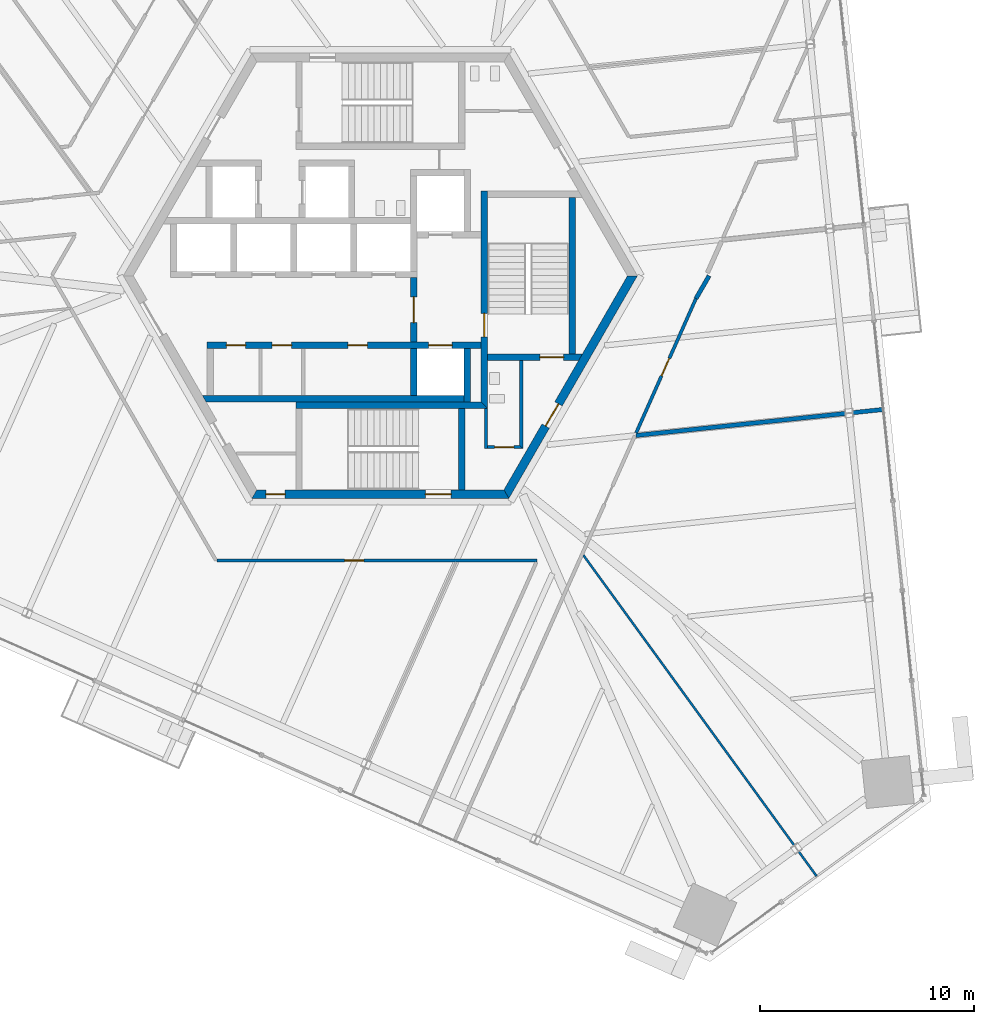
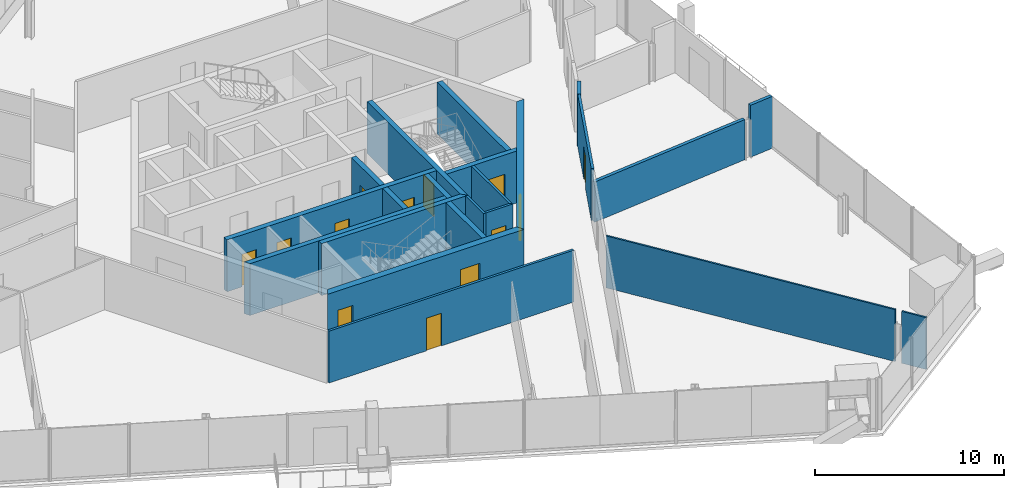
# One storey, part 18 of 25: 22 walls, 13 doors, 13 openings.
"""IFC4 building model written with IfcOpenShell, lengths in metres."""

from ifc_helpers import new_model, si_unit, direction, frame, frame_2d, origin, place, context, subcontext, project, spatial, polyline, rectangle, outline, extrude, source, transform, mapped, material, layer, layer_set, type_object, element, fill, save


model = new_model("IFC4")

# Units and contexts
model_context = context("Model", 3, precision=1e-05, world=origin(), true_north=direction((0.0, 1.0)))
body_context = subcontext(model_context, "Body", "Model", "MODEL_VIEW")
ifc_project = project(units=[si_unit("LENGTHUNIT", "METRE"), si_unit("AREAUNIT", "SQUARE_METRE"), si_unit("VOLUMEUNIT", "CUBIC_METRE"), si_unit("PLANEANGLEUNIT", "RADIAN"), si_unit("MASSUNIT", "GRAM", prefix="KILO")], contexts=[model_context])

# Site, building, storey
site_placement = place(None, origin())
site = spatial("IfcSite", under=ifc_project, at=site_placement, CompositionType="ELEMENT")
building_placement = place(site_placement, origin())
building = spatial("IfcBuilding", under=site, at=building_placement, Name="Triune Harvest Tower", CompositionType="ELEMENT")
storey_placement = place(building_placement, frame((0.0, 0.0, 90.89990234375)))
storey = spatial("IfcBuildingStorey", under=building, at=storey_placement, Name="L22", CompositionType="ELEMENT", Elevation=90.89990234375)

# Wall, opening, door
ifc_material_1 = material(Name="Gypsum board on steel studs", Category="steel")
ifc_layer_1 = layer(ifc_material_1, 0.14990234375)
ifc_layer_set_1 = layer_set([ifc_layer_1], Name="Gypsum board on steel studs")
wall_type_1 = type_object("IfcWallType", Name="Fire Partition 150 mm", PredefinedType="PARTITIONING", material=ifc_layer_set_1)
wall_1_placement = place(storey_placement, frame((-7.624267578125, -13.292236328125, 0.0), z_axis=(0.0, 0.0, 1.0), x_axis=(1.0, 0.0, 0.0)))
wall_1 = element("IfcWall", 1, at=wall_1_placement, inside=storey, type_object=wall_type_1, Name="Partition L22 020", PredefinedType="PARTITIONING", context=body_context, shape_type="SweptSolid", body=[
    extrude(rectangle(XDim=14.94384765625, YDim=0.14990234375, at=frame_2d((7.471923828125, 0.0))), origin(), (0.0, 0.0, 1.0), 3.35009765625),
])
opening_1_placement = place(wall_1_placement, frame((5.956298828125, 0.0, 0.0)))
opening_1 = element("IfcOpeningElement", 2, at=opening_1_placement, cuts=wall_1, Name="Opening L22-020", PredefinedType="OPENING", context=body_context, shape_type="SweptSolid", body=[
    extrude(rectangle(XDim=0.89990234375, YDim=2.10009765625, at=frame_2d((0.449951171875, 1.050048828125))), frame((0.0, 0.0849609375, 0.0), z_axis=(0.0, -1.0, 0.0), x_axis=(1.0, 0.0, 0.0)), (0.0, 0.0, 1.0), 0.169921875),
])
ifc_material_2 = material(Name="Timber and steel door set", Category="steel")
door_type_1 = type_object("IfcDoorType", Name="Single leaf door FD30 right hand 900 x 2100", OperationType="SINGLE_SWING_RIGHT", PredefinedType="DOOR", material=ifc_material_2)
door_1_placement = place(opening_1_placement, origin())
door_1 = element("IfcDoor", 3, at=door_1_placement, inside=storey, type_object=door_type_1, Name="Door L22-020 Open Office 22.20", OperationType="SINGLE_SWING_RIGHT", OverallHeight=2.10009765625, OverallWidth=0.89990234375, PredefinedType="DOOR", context=body_context, shape_type="SweptSolid", body=[
    extrude(rectangle(XDim=0.89990234375, YDim=2.10009765625, at=frame_2d((0.449951171875, 1.050048828125))), frame((0.0, 0.02490234375, 0.0), z_axis=(0.0, -1.0, 0.0), x_axis=(1.0, 0.0, 0.0)), (0.0, 0.0, 1.0), 0.050048828125),
])
fill(opening_1, door_1)

wall_2_placement = place(storey_placement, frame((11.94189453125, -7.335693359375, 0.0), z_axis=(0.0, 0.0, 1.0), x_axis=(0.406758583313, 0.913535688904, 0.0)))
wall_2 = element("IfcWall", 4, at=wall_2_placement, inside=storey, type_object=wall_type_1, Name="Partition L22 044", PredefinedType="PARTITIONING", context=body_context, shape_type="SweptSolid", body=[
    extrude(rectangle(XDim=6.866455078125, YDim=0.14990234375, at=frame_2d((3.43310546875, 0.0))), origin(), (0.0, 0.0, 1.0), 3.35009765625),
])
opening_2_placement = place(wall_2_placement, frame((2.913330078125, 0.0, 0.0)))
opening_2 = element("IfcOpeningElement", 5, at=opening_2_placement, cuts=wall_2, Name="Opening L22-002", PredefinedType="OPENING", context=body_context, shape_type="SweptSolid", body=[
    extrude(rectangle(XDim=0.89990234375, YDim=2.10009765625, at=frame_2d((0.449951171875, 1.050048828125))), frame((0.0, 0.0849609375, 0.0), z_axis=(0.0, -1.0, 0.0), x_axis=(1.0, 0.0, 0.0)), (0.0, 0.0, 1.0), 0.169921875),
])
ifc_material_3 = material(Name="Timber and steel door set", Category="steel")
door_type_2 = type_object("IfcDoorType", Name="Single leaf door FD30 left hand 900 x 2100", OperationType="SINGLE_SWING_LEFT", PredefinedType="DOOR", material=ifc_material_3)
door_2_placement = place(opening_2_placement, origin())
door_2 = element("IfcDoor", 6, at=door_2_placement, inside=storey, type_object=door_type_2, Name="Door L22-002 Commercial Trial Kitchen 22.02", OperationType="SINGLE_SWING_LEFT", OverallHeight=2.10009765625, OverallWidth=0.89990234375, PredefinedType="DOOR", context=body_context, shape_type="SweptSolid", body=[
    extrude(rectangle(XDim=0.89990234375, YDim=2.10009765625, at=frame_2d((0.449951171875, 1.050048828125))), frame((0.0, 0.02490234375, 0.0), z_axis=(0.0, -1.0, 0.0), x_axis=(1.0, 0.0, 0.0)), (0.0, 0.0, 1.0), 0.050048828125),
])
fill(opening_2, door_2)

# Walls
ifc_material_4 = material(Name="Gypsum board on steel studs", Category="steel")
ifc_layer_2 = layer(ifc_material_4, 0.199951171875)
ifc_layer_set_2 = layer_set([ifc_layer_2], Name="Gypsum board on steel studs")
wall_type_2 = type_object("IfcWallType", Name="Fire Wall 200 mm", PredefinedType="PARTITIONING", material=ifc_layer_set_2)
wall_3_placement = place(storey_placement, frame((11.936279296875, -7.455322265625, 0.0), z_axis=(0.0, 0.0, 1.0), x_axis=(0.994521525856, 0.10453197888, 0.0)))
element("IfcWall", 7, at=wall_3_placement, inside=storey, type_object=wall_type_2, Name="Partition L22 022", PredefinedType="PARTITIONING", context=body_context, shape_type="SweptSolid", body=[
    extrude(rectangle(XDim=9.81396484375, YDim=0.199951171875, at=frame_2d((4.906982421875, 0.0))), origin(), (0.0, 0.0, 1.0), 2.593017578125),
])
wall_4_placement = place(storey_placement, frame((22.068115234375, -6.390380859375, 0.0), z_axis=(0.0, 0.0, 1.0), x_axis=(0.994529002172, 0.104460824419, 0.0)))
element("IfcWall", 8, at=wall_4_placement, inside=storey, type_object=wall_type_2, Name="Partition L22 023", PredefinedType="PARTITIONING", context=body_context, shape_type="SweptSolid", body=[
    extrude(rectangle(XDim=1.418701171875, YDim=0.199951171875, at=frame_2d((0.70947265625, 0.0))), origin(), (0.0, 0.0, 1.0), 3.35009765625),
])
wall_5_placement = place(storey_placement, frame((14.73486328125, -1.06298828125, 0.0), z_axis=(0.0, 0.0, 1.0), x_axis=(0.500032359733, 0.866006720078, 0.0)))
element("IfcWall", 9, at=wall_5_placement, inside=storey, type_object=wall_type_2, Name="Partition L22 039", PredefinedType="PARTITIONING", context=body_context, shape_type="SweptSolid", body=[
    extrude(rectangle(XDim=1.2275390625, YDim=0.199951171875, at=frame_2d((0.61376953125, 0.0))), origin(), (0.0, 0.0, 1.0), 3.35009765625),
])
ifc_material_5 = material(Name="Gypsum board on steel studs", Category="steel")
ifc_layer_3 = layer(ifc_material_5, 0.10009765625)
ifc_layer_set_3 = layer_set([ifc_layer_3], Name="Gypsum board on steel studs")
wall_type_3 = type_object("IfcWallType", Name="Partition 100 mm", PredefinedType="PARTITIONING", material=ifc_layer_set_3)
wall_6_placement = place(storey_placement, frame((9.482421875, -13.051513671875, 0.0), z_axis=(0.0, 0.0, 1.0), x_axis=(0.587793365395, -0.809011099799, 0.0)))
element("IfcWall", 10, at=wall_6_placement, inside=storey, type_object=wall_type_3, Name="Partition L22 017", PredefinedType="PARTITIONING", context=body_context, shape_type="SweptSolid", body=[
    extrude(rectangle(XDim=16.73193359375, YDim=0.10009765625, at=frame_2d((8.365966796875, 0.0))), origin(), (0.0, 0.0, 1.0), 3.35009765625),
])

# Wall, openings, doors
ifc_material_6 = material(Name="Concrete 70 MPa", Category="concrete")
ifc_layer_4 = layer(ifc_material_6, 0.39990234375)
ifc_layer_set_4 = layer_set([ifc_layer_4], Name="Concrete 70 MPa")
wall_type_4 = type_object("IfcWallType", Name="Core wall 400", PredefinedType="SHEAR", material=ifc_layer_set_4)
shared_shape_1 = source(origin(), body_context, "Body", "SweptSolid", [
    extrude(outline(polyline([(-0.115478515625, -0.199951171875), (11.884521484375, -0.199951171875), (11.653564453125, 0.199951171875), (0.115478515625, 0.199951171875), (-0.115478515625, -0.199951171875)])), origin(), (0.0, 0.0, 1.0), 3.35009765625),
])
wall_7_placement = place(storey_placement, frame((-5.884521484375, -10.1923828125, 0.0), z_axis=(0.0, 0.0, 1.0), x_axis=(1.0, 0.0, 0.0)))
wall_7 = element("IfcWall", 11, at=wall_7_placement, inside=storey, type_object=wall_type_4, Name="Hexagon 4 wall", PredefinedType="SHEAR", context=body_context, shape_type="MappedRepresentation", body=[
    mapped(shared_shape_1, transform((0.0, 0.0, 0.0), scale=1.0)),
])
opening_3_placement = place(wall_7_placement, frame((7.984619140625, 0.0, 0.0)))
opening_3 = element("IfcOpeningElement", 12, at=opening_3_placement, cuts=wall_7, Name="Opening CD-S2P", PredefinedType="OPENING", context=body_context, shape_type="SweptSolid", body=[
    extrude(rectangle(XDim=1.199951171875, YDim=2.10009765625, at=frame_2d((0.60009765625, 1.050048828125))), frame((0.0, 0.2099609375, 0.0), z_axis=(0.0, -1.0, 0.0), x_axis=(1.0, 0.0, 0.0)), (0.0, 0.0, 1.0), 0.419921875),
])
opening_4_placement = place(wall_7_placement, frame((0.534423828125, 0.0, 0.0)))
opening_4 = element("IfcOpeningElement", 13, at=opening_4_placement, cuts=wall_7, Name="Opening CD-SWS", PredefinedType="OPENING", context=body_context, shape_type="SweptSolid", body=[
    extrude(rectangle(XDim=0.89990234375, YDim=2.10009765625, at=frame_2d((0.449951171875, 1.050048828125))), frame((0.0, 0.2099609375, 0.0), z_axis=(0.0, -1.0, 0.0), x_axis=(1.0, 0.0, 0.0)), (0.0, 0.0, 1.0), 0.419921875),
])
ifc_material_7 = material(Name="Steel S235", Category="steel")
door_type_3 = type_object("IfcDoorType", Name="Riser door 900 FD120", OperationType="SINGLE_SWING_LEFT", PredefinedType="DOOR", material=ifc_material_7)
door_3_placement = place(opening_4_placement, frame((0.89990234375, 0.0, 0.0), z_axis=(0.0, 0.0, 1.0), x_axis=(-1.0, 0.0, 0.0)))
door_3 = element("IfcDoor", 14, at=door_3_placement, inside=storey, type_object=door_type_3, Name="Door CD-SWS", OperationType="SINGLE_SWING_RIGHT", OverallHeight=2.10009765625, OverallWidth=0.89990234375, PredefinedType="DOOR", context=body_context, shape_type="SweptSolid", body=[
    extrude(rectangle(XDim=0.89990234375, YDim=2.10009765625, at=frame_2d((0.449951171875, 1.050048828125))), frame((0.0, 0.02490234375, 0.0), z_axis=(0.0, -1.0, 0.0), x_axis=(1.0, 0.0, 0.0)), (0.0, 0.0, 1.0), 0.050048828125),
])
fill(opening_4, door_3)
ifc_material_8 = material(Name="Steel S235", Category="steel")
door_type_4 = type_object("IfcDoorType", Name="Stair door 1200 FD120", OperationType="SINGLE_SWING_LEFT", PredefinedType="DOOR", material=ifc_material_8)
door_4_placement = place(opening_3_placement, frame((1.199951171875, 0.0, 0.0), z_axis=(0.0, 0.0, 1.0), x_axis=(-1.0, 0.0, 0.0)))
door_4 = element("IfcDoor", 15, at=door_4_placement, inside=storey, type_object=door_type_4, Name="Door CD-S2P", OperationType="SINGLE_SWING_RIGHT", OverallHeight=2.10009765625, OverallWidth=1.199951171875, PredefinedType="DOOR", context=body_context, shape_type="SweptSolid", body=[
    extrude(rectangle(XDim=1.199951171875, YDim=2.10009765625, at=frame_2d((0.60009765625, 1.050048828125))), frame((0.0, 0.02490234375, 0.0), z_axis=(0.0, -1.0, 0.0), x_axis=(1.0, 0.0, 0.0)), (0.0, 0.0, 1.0), 0.050048828125),
])
fill(opening_3, door_4)

# Wall, opening, door
wall_8_placement = place(storey_placement, frame((5.884521484375, -10.1923828125, 0.0), z_axis=(0.0, 0.0, 1.0), x_axis=(0.499996592174, 0.866027371285, 0.0)))
wall_8 = element("IfcWall", 16, at=wall_8_placement, inside=storey, type_object=wall_type_4, Name="Hexagon 5 wall", PredefinedType="SHEAR", context=body_context, shape_type="MappedRepresentation", body=[
    mapped(shared_shape_1, transform((0.0, 0.0, 0.0), scale=1.0)),
])
opening_5_placement = place(wall_8_placement, frame((3.66455078125, 0.0, 0.0)))
opening_5 = element("IfcOpeningElement", 17, at=opening_5_placement, cuts=wall_8, Name="Opening CD-DP", PredefinedType="OPENING", context=body_context, shape_type="SweptSolid", body=[
    extrude(rectangle(XDim=1.199951171875, YDim=2.10009765625, at=frame_2d((0.60009765625, 1.050048828125))), frame((0.0, 0.2099609375, 0.0), z_axis=(0.0, -1.0, 0.0), x_axis=(1.0, 0.0, 0.0)), (0.0, 0.0, 1.0), 0.419921875),
])
door_5_placement = place(opening_5_placement, frame((1.199951171875, 0.0, 0.0), z_axis=(0.0, 0.0, 1.0), x_axis=(-1.0, 0.0, 0.0)))
door_5 = element("IfcDoor", 18, at=door_5_placement, inside=storey, type_object=door_type_4, Name="Door CD-DP", OperationType="SINGLE_SWING_RIGHT", OverallHeight=2.10009765625, OverallWidth=1.199951171875, PredefinedType="DOOR", context=body_context, shape_type="SweptSolid", body=[
    extrude(rectangle(XDim=1.199951171875, YDim=2.10009765625, at=frame_2d((0.60009765625, 1.050048828125))), frame((0.0, 0.02490234375, 0.0), z_axis=(0.0, -1.0, 0.0), x_axis=(1.0, 0.0, 0.0)), (0.0, 0.0, 1.0), 0.050048828125),
])
fill(opening_5, door_5)

# Wall
ifc_material_9 = material(Name="Concrete 70 MPa", Category="concrete")
ifc_layer_5 = layer(ifc_material_9, 0.300048828125)
ifc_layer_set_5 = layer_set([ifc_layer_5], Name="Concrete 70 MPa")
wall_type_5 = type_object("IfcWallType", Name="Core wall 300", PredefinedType="SHEAR", material=ifc_layer_set_5)
shared_shape_2 = source(origin(), body_context, "Body", "SweptSolid", [
    extrude(rectangle(XDim=2.5, YDim=0.300048828125, at=frame_2d((1.25, 0.0))), origin(), (0.0, 0.0, 1.0), 3.35009765625),
])
wall_9_placement = place(storey_placement, frame((4.050048828125, -5.889892578125, 0.0), z_axis=(0.0, 0.0, 1.0), x_axis=(0.0, 1.0, 0.0)))
element("IfcWall", 19, at=wall_9_placement, inside=storey, type_object=wall_type_5, Name="Ff2 east wall", PredefinedType="SHEAR", context=body_context, shape_type="MappedRepresentation", body=[
    mapped(shared_shape_2, transform((0.0, 0.0, 0.0), scale=1.0)),
])

# Wall, opening, door
shared_shape_3 = source(origin(), body_context, "Body", "SweptSolid", [
    extrude(rectangle(XDim=3.0, YDim=0.300048828125, at=frame_2d((1.5, 0.0))), origin(), (0.0, 0.0, 1.0), 3.35009765625),
])
wall_10_placement = place(storey_placement, frame((1.550048828125, -3.090087890625, 0.0), z_axis=(0.0, 0.0, 1.0), x_axis=(0.0, 1.0, 0.0)))
wall_10 = element("IfcWall", 20, at=wall_10_placement, inside=storey, type_object=wall_type_5, Name="Ff lobby west wall", PredefinedType="SHEAR", context=body_context, shape_type="MappedRepresentation", body=[
    mapped(shared_shape_3, transform((0.0, 0.0, 0.0), scale=1.0)),
])
opening_6_placement = place(wall_10_placement, frame((0.89990234375, 0.0, 0.0)))
opening_6 = element("IfcOpeningElement", 21, at=opening_6_placement, cuts=wall_10, Name="Opening CD-FL", PredefinedType="OPENING", context=body_context, shape_type="SweptSolid", body=[
    extrude(rectangle(XDim=1.199951171875, YDim=2.10009765625, at=frame_2d((0.60009765625, 1.050048828125))), frame((0.0, 0.16015625, 0.0), z_axis=(0.0, -1.0, 0.0), x_axis=(1.0, 0.0, 0.0)), (0.0, 0.0, 1.0), 0.320068359375),
])
ifc_material_10 = material(Name="Steel S235", Category="steel")
door_type_5 = type_object("IfcDoorType", Name="Firefighters' lobby door 1200 FD120", OperationType="SINGLE_SWING_LEFT", PredefinedType="DOOR", material=ifc_material_10)
door_6_placement = place(opening_6_placement, frame((1.199951171875, 0.0, 0.0), z_axis=(0.0, 0.0, 1.0), x_axis=(-1.0, 0.0, 0.0)))
door_6 = element("IfcDoor", 22, at=door_6_placement, inside=storey, type_object=door_type_5, Name="Door CD-FL", OperationType="SINGLE_SWING_RIGHT", OverallHeight=2.10009765625, OverallWidth=1.199951171875, PredefinedType="DOOR", context=body_context, shape_type="SweptSolid", body=[
    extrude(rectangle(XDim=1.199951171875, YDim=2.10009765625, at=frame_2d((0.60009765625, 1.050048828125))), frame((0.0, 0.02490234375, 0.0), z_axis=(0.0, -1.0, 0.0), x_axis=(1.0, 0.0, 0.0)), (0.0, 0.0, 1.0), 0.050048828125),
])
fill(opening_6, door_6)

# Wall, openings, doors
shared_shape_4 = source(origin(), body_context, "Body", "SweptSolid", [
    extrude(rectangle(XDim=12.800048828125, YDim=0.300048828125, at=frame_2d((6.39990234375, 0.0))), origin(), (0.0, 0.0, 1.0), 3.35009765625),
])
wall_11_placement = place(storey_placement, frame((-8.10009765625, -3.239990234375, 0.0), z_axis=(0.0, 0.0, 1.0), x_axis=(1.0, 0.0, 0.0)))
wall_11 = element("IfcWall", 23, at=wall_11_placement, inside=storey, type_object=wall_type_5, Name="South front wall", PredefinedType="SHEAR", context=body_context, shape_type="MappedRepresentation", body=[
    mapped(shared_shape_4, transform((0.0, 0.0, 0.0), scale=1.0)),
])
opening_7_placement = place(wall_11_placement, frame((0.91259765625, 0.0, 0.0)))
opening_7 = element("IfcOpeningElement", 24, at=opening_7_placement, cuts=wall_11, Name="Opening CD-RS1", PredefinedType="OPENING", context=body_context, shape_type="SweptSolid", body=[
    extrude(rectangle(XDim=0.89990234375, YDim=2.10009765625, at=frame_2d((0.449951171875, 1.050048828125))), frame((0.0, 0.16015625, 0.0), z_axis=(0.0, -1.0, 0.0), x_axis=(1.0, 0.0, 0.0)), (0.0, 0.0, 1.0), 0.320068359375),
])
opening_8_placement = place(wall_11_placement, frame((3.050048828125, 0.0, 0.0)))
opening_8 = element("IfcOpeningElement", 25, at=opening_8_placement, cuts=wall_11, Name="Opening CD-RS2", PredefinedType="OPENING", context=body_context, shape_type="SweptSolid", body=[
    extrude(rectangle(XDim=0.89990234375, YDim=2.10009765625, at=frame_2d((0.449951171875, 1.050048828125))), frame((0.0, 0.16015625, 0.0), z_axis=(0.0, -1.0, 0.0), x_axis=(1.0, 0.0, 0.0)), (0.0, 0.0, 1.0), 0.320068359375),
])
opening_9_placement = place(wall_11_placement, frame((6.58740234375, 0.0, 0.0)))
opening_9 = element("IfcOpeningElement", 26, at=opening_9_placement, cuts=wall_11, Name="Opening CD-RS3", PredefinedType="OPENING", context=body_context, shape_type="SweptSolid", body=[
    extrude(rectangle(XDim=0.89990234375, YDim=2.10009765625, at=frame_2d((0.449951171875, 1.050048828125))), frame((0.0, 0.16015625, 0.0), z_axis=(0.0, -1.0, 0.0), x_axis=(1.0, 0.0, 0.0)), (0.0, 0.0, 1.0), 0.320068359375),
])
opening_10_placement = place(wall_11_placement, frame((10.35009765625, 0.0, 0.0)))
opening_10 = element("IfcOpeningElement", 27, at=opening_10_placement, cuts=wall_11, Name="Opening LD-FF2-22", PredefinedType="OPENING", context=body_context, shape_type="SweptSolid", body=[
    extrude(rectangle(XDim=1.10009765625, YDim=2.10009765625, at=frame_2d((0.550048828125, 1.050048828125))), frame((0.0, 0.16015625, 0.0), z_axis=(0.0, -1.0, 0.0), x_axis=(1.0, 0.0, 0.0)), (0.0, 0.0, 1.0), 0.320068359375),
])
ifc_material_11 = material(Name="Stainless steel AISI 304", Category="steel")
door_type_6 = type_object("IfcDoorType", Name="Landing door 1100 x 2100", OperationType="DOUBLE_DOOR_SLIDING", PredefinedType="DOOR", material=ifc_material_11)
door_7_placement = place(opening_10_placement, origin())
door_7 = element("IfcDoor", 28, at=door_7_placement, inside=storey, type_object=door_type_6, Name="Door LD-FF2-22", OperationType="DOUBLE_DOOR_SLIDING", OverallHeight=2.10009765625, OverallWidth=1.10009765625, PredefinedType="DOOR", context=body_context, shape_type="SweptSolid", body=[
    extrude(rectangle(XDim=1.10009765625, YDim=2.10009765625, at=frame_2d((0.550048828125, 1.050048828125))), frame((0.0, 0.02490234375, 0.0), z_axis=(0.0, -1.0, 0.0), x_axis=(1.0, 0.0, 0.0)), (0.0, 0.0, 1.0), 0.050048828125),
])
fill(opening_10, door_7)
door_8_placement = place(opening_7_placement, origin())
door_8 = element("IfcDoor", 29, at=door_8_placement, inside=storey, type_object=door_type_3, Name="Door CD-RS1", OperationType="SINGLE_SWING_LEFT", OverallHeight=2.10009765625, OverallWidth=0.89990234375, PredefinedType="DOOR", context=body_context, shape_type="SweptSolid", body=[
    extrude(rectangle(XDim=0.89990234375, YDim=2.10009765625, at=frame_2d((0.449951171875, 1.050048828125))), frame((0.0, 0.02490234375, 0.0), z_axis=(0.0, -1.0, 0.0), x_axis=(1.0, 0.0, 0.0)), (0.0, 0.0, 1.0), 0.050048828125),
])
fill(opening_7, door_8)
door_9_placement = place(opening_8_placement, origin())
door_9 = element("IfcDoor", 30, at=door_9_placement, inside=storey, type_object=door_type_3, Name="Door CD-RS2", OperationType="SINGLE_SWING_LEFT", OverallHeight=2.10009765625, OverallWidth=0.89990234375, PredefinedType="DOOR", context=body_context, shape_type="SweptSolid", body=[
    extrude(rectangle(XDim=0.89990234375, YDim=2.10009765625, at=frame_2d((0.449951171875, 1.050048828125))), frame((0.0, 0.02490234375, 0.0), z_axis=(0.0, -1.0, 0.0), x_axis=(1.0, 0.0, 0.0)), (0.0, 0.0, 1.0), 0.050048828125),
])
fill(opening_8, door_9)
door_10_placement = place(opening_9_placement, origin())
door_10 = element("IfcDoor", 31, at=door_10_placement, inside=storey, type_object=door_type_3, Name="Door CD-RS3", OperationType="SINGLE_SWING_LEFT", OverallHeight=2.10009765625, OverallWidth=0.89990234375, PredefinedType="DOOR", context=body_context, shape_type="SweptSolid", body=[
    extrude(rectangle(XDim=0.89990234375, YDim=2.10009765625, at=frame_2d((0.449951171875, 1.050048828125))), frame((0.0, 0.02490234375, 0.0), z_axis=(0.0, -1.0, 0.0), x_axis=(1.0, 0.0, 0.0)), (0.0, 0.0, 1.0), 0.050048828125),
])
fill(opening_9, door_10)

# Walls
shared_shape_5 = source(origin(), body_context, "Body", "SweptSolid", [
    extrude(outline(polyline([(12.0, -0.14990234375), (-0.039794921875, -0.14990234375), (-0.212890625, 0.14990234375), (12.0, 0.14990234375), (12.0, -0.14990234375)])), origin(), (0.0, 0.0, 1.0), 3.35009765625),
])
wall_12_placement = place(storey_placement, frame((-8.10009765625, -5.739990234375, 0.0), z_axis=(0.0, 0.0, 1.0), x_axis=(1.0, 0.0, 0.0)))
element("IfcWall", 32, at=wall_12_placement, inside=storey, type_object=wall_type_5, Name="South back wall", PredefinedType="SHEAR", context=body_context, shape_type="MappedRepresentation", body=[
    mapped(shared_shape_5, transform((0.0, 0.0, 0.0), scale=1.0)),
])
shared_shape_6 = source(origin(), body_context, "Body", "SweptSolid", [
    extrude(rectangle(XDim=2.2001953125, YDim=0.300048828125, at=frame_2d((1.10009765625, 0.0))), origin(), (0.0, 0.0, 1.0), 3.35009765625),
])
wall_13_placement = place(storey_placement, frame((1.550048828125, -5.590087890625, 0.0), z_axis=(0.0, 0.0, 1.0), x_axis=(0.0, 1.0, 0.0)))
element("IfcWall", 33, at=wall_13_placement, inside=storey, type_object=wall_type_5, Name="Ff2 west wall", PredefinedType="SHEAR", context=body_context, shape_type="MappedRepresentation", body=[
    mapped(shared_shape_6, transform((0.0, 0.0, 0.0), scale=1.0)),
])

# Wall, opening, door
shared_shape_7 = source(origin(), body_context, "Body", "SweptSolid", [
    extrude(outline(polyline([(-0.14990234375, -0.14990234375), (9.989990234375, -0.14990234375), (9.989990234375, 0.14990234375), (0.14990234375, 0.14990234375), (-0.14990234375, -0.14990234375)])), origin(), (0.0, 0.0, 1.0), 3.35009765625),
])
wall_14_placement = place(storey_placement, frame((4.85009765625, -6.0400390625, 0.0), z_axis=(0.0, 0.0, 1.0), x_axis=(0.0, 1.0, 0.0)))
wall_14 = element("IfcWall", 34, at=wall_14_placement, inside=storey, type_object=wall_type_5, Name="Stair e west wall", PredefinedType="SHEAR", context=body_context, shape_type="MappedRepresentation", body=[
    mapped(shared_shape_7, transform((0.0, 0.0, 0.0), scale=1.0)),
])
opening_11_placement = place(wall_14_placement, frame((3.18994140625, 0.0, 0.0)))
opening_11 = element("IfcOpeningElement", 35, at=opening_11_placement, cuts=wall_14, Name="Opening CD-S3L", PredefinedType="OPENING", context=body_context, shape_type="SweptSolid", body=[
    extrude(rectangle(XDim=1.10009765625, YDim=2.10009765625, at=frame_2d((0.550048828125, 1.050048828125))), frame((0.0, 0.16015625, 0.0), z_axis=(0.0, -1.0, 0.0), x_axis=(1.0, 0.0, 0.0)), (0.0, 0.0, 1.0), 0.320068359375),
])
ifc_material_12 = material(Name="Steel S235", Category="steel")
door_type_7 = type_object("IfcDoorType", Name="Stair door 1100 FD120", OperationType="SINGLE_SWING_LEFT", PredefinedType="DOOR", material=ifc_material_12)
door_11_placement = place(opening_11_placement, frame((1.10009765625, 0.0, 0.0), z_axis=(0.0, 0.0, 1.0), x_axis=(-1.0, 0.0, 0.0)))
door_11 = element("IfcDoor", 36, at=door_11_placement, inside=storey, type_object=door_type_7, Name="Door CD-S3L", OperationType="SINGLE_SWING_RIGHT", OverallHeight=2.10009765625, OverallWidth=1.10009765625, PredefinedType="DOOR", context=body_context, shape_type="SweptSolid", body=[
    extrude(rectangle(XDim=1.10009765625, YDim=2.10009765625, at=frame_2d((0.550048828125, 1.050048828125))), frame((0.0, 0.02490234375, 0.0), z_axis=(0.0, -1.0, 0.0), x_axis=(1.0, 0.0, 0.0)), (0.0, 0.0, 1.0), 0.050048828125),
])
fill(opening_11, door_11)

shared_shape_8 = source(origin(), body_context, "Body", "SweptSolid", [
    extrude(outline(polyline([(0.0, -0.14990234375), (0.0, 0.14990234375), (4.43310546875, 0.14990234375), (4.260009765625, -0.14990234375), (0.0, -0.14990234375)])), origin(), (0.0, 0.0, 1.0), 3.35009765625),
])
wall_15_placement = place(storey_placement, frame((5.0, -3.800048828125, 0.0), z_axis=(0.0, 0.0, 1.0), x_axis=(1.0, 0.0, 0.0)))
wall_15 = element("IfcWall", 37, at=wall_15_placement, inside=storey, type_object=wall_type_5, Name="Stair e south wall", PredefinedType="SHEAR", context=body_context, shape_type="MappedRepresentation", body=[
    mapped(shared_shape_8, transform((0.0, 0.0, 0.0), scale=1.0)),
])
opening_12_placement = place(wall_15_placement, frame((2.449951171875, 0.0, 0.0)))
opening_12 = element("IfcOpeningElement", 38, at=opening_12_placement, cuts=wall_15, Name="Opening CD-S3D", PredefinedType="OPENING", context=body_context, shape_type="SweptSolid", body=[
    extrude(rectangle(XDim=1.10009765625, YDim=2.10009765625, at=frame_2d((0.550048828125, 1.050048828125))), frame((0.0, 0.16015625, 0.0), z_axis=(0.0, -1.0, 0.0), x_axis=(1.0, 0.0, 0.0)), (0.0, 0.0, 1.0), 0.320068359375),
])
door_12_placement = place(opening_12_placement, frame((1.10009765625, 0.0, 0.0), z_axis=(0.0, 0.0, 1.0), x_axis=(-1.0, 0.0, 0.0)))
door_12 = element("IfcDoor", 39, at=door_12_placement, inside=storey, type_object=door_type_7, Name="Door CD-S3D", OperationType="SINGLE_SWING_RIGHT", OverallHeight=2.10009765625, OverallWidth=1.10009765625, PredefinedType="DOOR", context=body_context, shape_type="SweptSolid", body=[
    extrude(rectangle(XDim=1.10009765625, YDim=2.10009765625, at=frame_2d((0.550048828125, 1.050048828125))), frame((0.0, 0.02490234375, 0.0), z_axis=(0.0, -1.0, 0.0), x_axis=(1.0, 0.0, 0.0)), (0.0, 0.0, 1.0), 0.050048828125),
])
fill(opening_12, door_12)

# Walls
shared_shape_9 = source(origin(), body_context, "Body", "SweptSolid", [
    extrude(rectangle(XDim=7.2998046875, YDim=0.300048828125, at=frame_2d((3.64990234375, 0.0))), origin(), (0.0, 0.0, 1.0), 3.35009765625),
])
wall_16_placement = place(storey_placement, frame((8.949951171875, -3.64990234375, 0.0), z_axis=(0.0, 0.0, 1.0), x_axis=(0.0, 1.0, 0.0)))
element("IfcWall", 40, at=wall_16_placement, inside=storey, type_object=wall_type_5, Name="Stair e east wall", PredefinedType="SHEAR", context=body_context, shape_type="MappedRepresentation", body=[
    mapped(shared_shape_9, transform((0.0, 0.0, 0.0), scale=1.0)),
])
shared_shape_10 = source(origin(), body_context, "Body", "SweptSolid", [
    extrude(outline(polyline([(0.0, -0.14990234375), (8.949951171875, -0.14990234375), (8.64990234375, 0.14990234375), (0.0, 0.14990234375), (0.0, -0.14990234375)])), origin(), (0.0, 0.0, 1.0), 3.35009765625),
])
wall_17_placement = place(storey_placement, frame((-3.949951171875, -6.0400390625, 0.0), z_axis=(0.0, 0.0, 1.0), x_axis=(1.0, 0.0, 0.0)))
element("IfcWall", 41, at=wall_17_placement, inside=storey, type_object=wall_type_5, Name="Stair s north wall", PredefinedType="SHEAR", context=body_context, shape_type="MappedRepresentation", body=[
    mapped(shared_shape_10, transform((0.0, 0.0, 0.0), scale=1.0)),
])
shared_shape_11 = source(origin(), body_context, "Body", "SweptSolid", [
    extrude(outline(polyline([(3.800048828125, -0.14990234375), (-0.00439453125, -0.14990234375), (-0.00439453125, 0.14990234375), (3.800048828125, 0.14990234375), (3.800048828125, -0.14990234375)])), origin(), (0.0, 0.0, 1.0), 3.35009765625),
])
wall_18_placement = place(storey_placement, frame((3.800048828125, -9.989990234375, 0.0), z_axis=(0.0, 0.0, 1.0), x_axis=(0.0, 1.0, 0.0)))
element("IfcWall", 42, at=wall_18_placement, inside=storey, type_object=wall_type_5, Name="Stair s east wall", PredefinedType="SHEAR", context=body_context, shape_type="MappedRepresentation", body=[
    mapped(shared_shape_11, transform((0.0, 0.0, 0.0), scale=1.0)),
])

# Wall, opening, door
ifc_material_13 = material(Name="Concrete masonry unit", Category="masonry")
ifc_layer_6 = layer(ifc_material_13, 0.14990234375)
ifc_layer_set_6 = layer_set([ifc_layer_6], Name="Concrete masonry unit")
wall_type_6 = type_object("IfcWallType", Name="Block partition 150 unrated", PredefinedType="PARTITIONING", material=ifc_layer_set_6)
shared_shape_12 = source(origin(), body_context, "Body", "SweptSolid", [
    extrude(outline(polyline([(0.0, -0.074951171875), (1.64990234375, -0.074951171875), (1.5, 0.074951171875), (0.0, 0.074951171875), (0.0, -0.074951171875)])), origin(), (0.0, 0.0, 1.0), 3.35009765625),
])
wall_19_placement = place(storey_placement, frame((5.0, -8.0, 0.0), z_axis=(0.0, 0.0, 1.0), x_axis=(1.0, 0.0, 0.0)))
wall_19 = element("IfcWall", 43, at=wall_19_placement, inside=storey, type_object=wall_type_6, Name="Wc acc south wall", PredefinedType="PARTITIONING", context=body_context, shape_type="MappedRepresentation", body=[
    mapped(shared_shape_12, transform((0.0, 0.0, 0.0), scale=1.0)),
])
opening_13_placement = place(wall_19_placement, frame((0.33740234375, 0.0, 0.0)))
opening_13 = element("IfcOpeningElement", 44, at=opening_13_placement, cuts=wall_19, Name="Opening CD-WA", PredefinedType="OPENING", context=body_context, shape_type="SweptSolid", body=[
    extrude(rectangle(XDim=0.89990234375, YDim=2.10009765625, at=frame_2d((0.449951171875, 1.050048828125))), frame((0.0, 0.0849609375, 0.0), z_axis=(0.0, -1.0, 0.0), x_axis=(1.0, 0.0, 0.0)), (0.0, 0.0, 1.0), 0.169921875),
])
ifc_material_14 = material(Name="Timber C24", Category="wood")
door_type_8 = type_object("IfcDoorType", Name="WC door 900", OperationType="SINGLE_SWING_LEFT", PredefinedType="DOOR", material=ifc_material_14)
door_13_placement = place(opening_13_placement, origin())
door_13 = element("IfcDoor", 45, at=door_13_placement, inside=storey, type_object=door_type_8, Name="Door CD-WA", OperationType="SINGLE_SWING_LEFT", OverallHeight=2.10009765625, OverallWidth=0.89990234375, PredefinedType="DOOR", context=body_context, shape_type="SweptSolid", body=[
    extrude(rectangle(XDim=0.89990234375, YDim=2.10009765625, at=frame_2d((0.449951171875, 1.050048828125))), frame((0.0, 0.02490234375, 0.0), z_axis=(0.0, -1.0, 0.0), x_axis=(1.0, 0.0, 0.0)), (0.0, 0.0, 1.0), 0.050048828125),
])
fill(opening_13, door_13)

# Walls
shared_shape_13 = source(origin(), body_context, "Body", "SweptSolid", [
    extrude(outline(polyline([(-0.074951171875, -0.074951171875), (4.050048828125, -0.074951171875), (4.050048828125, 0.074951171875), (0.074951171875, 0.074951171875), (-0.074951171875, -0.074951171875)])), origin(), (0.0, 0.0, 1.0), 3.35009765625),
])
wall_20_placement = place(storey_placement, frame((6.574951171875, -8.0, 0.0), z_axis=(0.0, 0.0, 1.0), x_axis=(0.0, 1.0, 0.0)))
element("IfcWall", 46, at=wall_20_placement, inside=storey, type_object=wall_type_6, Name="Wc acc east wall", PredefinedType="PARTITIONING", context=body_context, shape_type="MappedRepresentation", body=[
    mapped(shared_shape_13, transform((0.0, 0.0, 0.0), scale=1.0)),
])
shared_shape_14 = source(origin(), body_context, "Body", "SweptSolid", [
    extrude(rectangle(XDim=1.885009765625, YDim=0.14990234375, at=frame_2d((0.9423828125, 0.0))), origin(), (0.0, 0.0, 1.0), 3.35009765625),
])
wall_21_placement = place(storey_placement, frame((4.925048828125, -8.074951171875, 0.0), z_axis=(0.0, 0.0, 1.0), x_axis=(0.0, 1.0, 0.0)))
element("IfcWall", 47, at=wall_21_placement, inside=storey, type_object=wall_type_6, Name="Wc acc west wall", PredefinedType="PARTITIONING", context=body_context, shape_type="MappedRepresentation", body=[
    mapped(shared_shape_14, transform((0.0, 0.0, 0.0), scale=1.0)),
])
shared_shape_15 = source(origin(), body_context, "Body", "SweptSolid", [
    extrude(rectangle(XDim=1.41845703125, YDim=0.10009765625, at=frame_2d((0.709228515625, 0.0))), origin(), (0.0, 0.0, 1.0), 3.35009765625),
])
wall_22_placement = place(storey_placement, frame((19.536865234375, -26.890380859375, 0.0), z_axis=(0.0, 0.0, 1.0), x_axis=(0.587813429905, -0.808996521392, 0.0)))
element("IfcWall", 48, at=wall_22_placement, inside=storey, type_object=wall_type_3, Name="Partition L22 018", PredefinedType="PARTITIONING", context=body_context, shape_type="MappedRepresentation", body=[
    mapped(shared_shape_15, transform((0.0, 0.0, 0.0), scale=1.0)),
])

save(model, "model.ifc")
